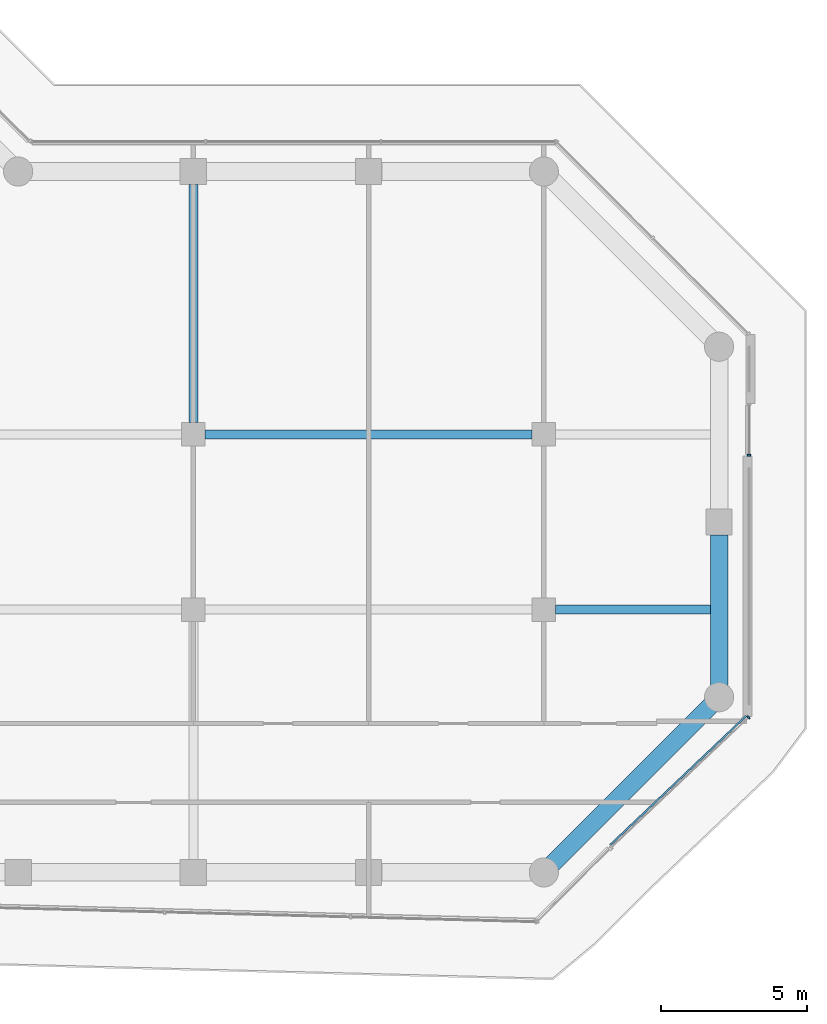
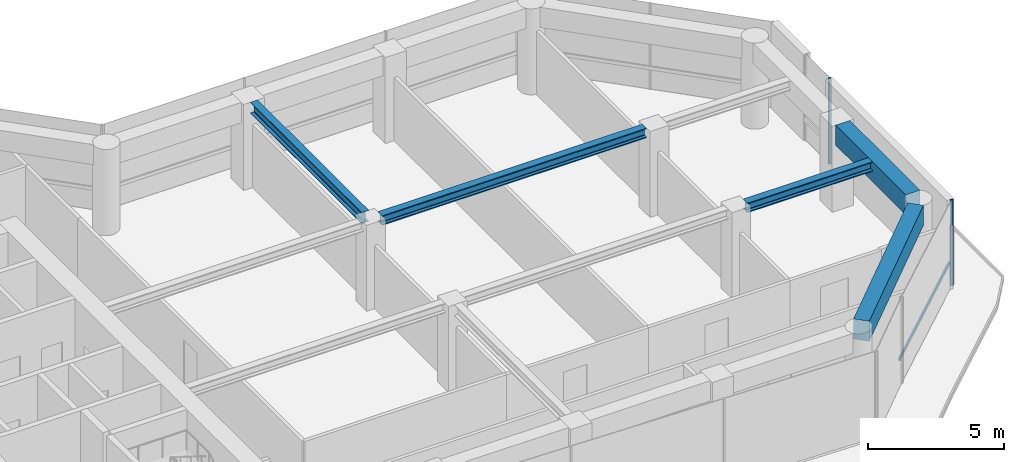
# One storey, part 7 of 23: 5 beams, 3 members, 2 elements without a shape of their own.
"""IFC4 building model written with IfcOpenShell, lengths in metres."""

from ifc_helpers import new_model, si_unit, direction, frame, origin, origin_2d, place, context, subcontext, project, spatial, rectangle, i_section, extrude, material, layer, layer_set, material_profile, profile_set, type_object, element, aggregate, save


model = new_model("IFC4")

# Units and contexts
model_context = context("Model", 3, precision=1e-05, world=origin(), true_north=direction((0.0, 1.0)))
body_context = subcontext(model_context, "Body", "Model", "MODEL_VIEW")
ifc_project = project(units=[si_unit("LENGTHUNIT", "METRE"), si_unit("AREAUNIT", "SQUARE_METRE"), si_unit("VOLUMEUNIT", "CUBIC_METRE"), si_unit("PLANEANGLEUNIT", "RADIAN"), si_unit("MASSUNIT", "GRAM", prefix="KILO")], contexts=[model_context])

# Site, building, storey
site_placement = place(None, origin())
site = spatial("IfcSite", under=ifc_project, at=site_placement, CompositionType="ELEMENT")
building_placement = place(site_placement, origin())
building = spatial("IfcBuilding", under=site, at=building_placement, Name="Welwitschia Terrace Campus", CompositionType="ELEMENT")
storey_placement = place(building_placement, frame((0.0, 0.0, 117.199951171875)))
storey = spatial("IfcBuildingStorey", under=building, at=storey_placement, Name="L26", CompositionType="ELEMENT", Elevation=117.199951171875)

# Beams
ifc_material_1 = material(Name="Steel S355", Category="steel")
ifc_material_profile_1 = material_profile(ifc_material_1, i_section(OverallWidth=0.306884765625, OverallDepth=0.431884765625, WebThickness=0.02099609375, FlangeThickness=0.0400390625, FilletRadius=0.027099609375, at=origin_2d()))
ifc_profile_set_1 = profile_set([ifc_material_profile_1], Name="Steel S355")
beam_type_1 = type_object("IfcBeamType", Name="Interior girder HE 400 M", PredefinedType="BEAM", material=ifc_profile_set_1)
beam_1_placement = place(storey_placement, frame((48.400390625, 13.0, 3.634033203125), z_axis=(1.0, 0.0, 0.0), x_axis=(0.0, 1.0, 0.0)))
element("IfcBeam", 1, at=beam_1_placement, inside=storey, type_object=beam_type_1, Name="Girder GB3", PredefinedType="BEAM", context=body_context, shape_type="SweptSolid", body=[
    extrude(i_section(OverallWidth=0.306884765625, OverallDepth=0.431884765625, WebThickness=0.02099609375, FlangeThickness=0.0400390625, FilletRadius=0.027099609375, at=origin_2d()), origin(), (0.0, 0.0, 1.0), 5.609619140625),
])
beam_2_placement = place(storey_placement, frame((36.400390625, 19.0, 3.634033203125), z_axis=(1.0, 0.0, 0.0), x_axis=(0.0, 1.0, 0.0)))
element("IfcBeam", 2, at=beam_2_placement, inside=storey, type_object=beam_type_1, Name="Girder GB3", PredefinedType="BEAM", context=body_context, shape_type="SweptSolid", body=[
    extrude(i_section(OverallWidth=0.306884765625, OverallDepth=0.431884765625, WebThickness=0.02099609375, FlangeThickness=0.0400390625, FilletRadius=0.027099609375, at=origin_2d()), origin(), (0.0, 0.0, 1.0), 11.19921875),
])

# Curtain wall, member
ifc_material_2 = material(Name="Bronze anodised aluminium", Category="aluminium")
ifc_layer = layer(ifc_material_2, 0.1201171875)
ifc_layer_set = layer_set([ifc_layer], Name="Bronze anodised aluminium")
curtain_wall_type = type_object("IfcCurtainWallType", Name="Curtain wall CW2 tower 6000", PredefinedType="NOTDEFINED", material=ifc_layer_set)
curtain_wall_1_placement = place(storey_placement, origin())
curtain_wall_1 = element("IfcCurtainWall", 3, at=curtain_wall_1_placement, inside=storey, type_object=curtain_wall_type, Name="CW L26.5.0", PredefinedType="NOTDEFINED")
ifc_material_3 = material(Name="Bronze anodised aluminium", Category="aluminium")
ifc_material_profile_2 = material_profile(ifc_material_3, rectangle(XDim=0.1201171875, YDim=0.06005859375, at=origin_2d()))
ifc_profile_set_2 = profile_set([ifc_material_profile_2], Name="Bronze anodised aluminium")
member_type_1 = type_object("IfcMemberType", Name="Mullion 60x120", PredefinedType="MULLION", material=ifc_profile_set_2)
member_1_placement = place(storey_placement, frame((55.00830078125, 9.310791015625, 0.0), z_axis=(0.0, 0.0, 1.0), x_axis=(-0.688354575694, 0.725374371012, 0.0)))
member_1 = element("IfcMember", 4, at=member_1_placement, type_object=member_type_1, Name="Mullion L26.5.0.1", PredefinedType="MULLION", context=body_context, shape_type="SweptSolid", body=[
    extrude(rectangle(XDim=0.1201171875, YDim=0.06005859375, at=origin_2d()), origin(), (0.0, 0.0, 1.0), 3.85009765625),
])

curtain_wall_2_placement = place(storey_placement, origin())
curtain_wall_2 = element("IfcCurtainWall", 5, at=curtain_wall_2_placement, inside=storey, type_object=curtain_wall_type, Name="CW L26.6.S0", PredefinedType="NOTDEFINED")
member_2_placement = place(storey_placement, frame((55.030029296875, 18.282958984375, 0.0), z_axis=(0.0, 0.0, 1.0), x_axis=(-1.0, 0.0, 0.0)))
member_2 = element("IfcMember", 6, at=member_2_placement, type_object=member_type_1, Name="Mullion L26.6.S0.0", PredefinedType="MULLION", context=body_context, shape_type="SweptSolid", body=[
    extrude(rectangle(XDim=0.1201171875, YDim=0.06005859375, at=origin_2d()), origin(), (0.0, 0.0, 1.0), 3.85009765625),
])
aggregate(curtain_wall_2, [member_2])

# Beams
ifc_material_4 = material(Name="Steel S355", Category="steel")
ifc_material_profile_3 = material_profile(ifc_material_4, i_section(OverallWidth=0.300048828125, OverallDepth=0.5, WebThickness=0.014404296875, FlangeThickness=0.028076171875, FilletRadius=0.027099609375, at=origin_2d()))
ifc_profile_set_3 = profile_set([ifc_material_profile_3], Name="Steel S355")
beam_type_2 = type_object("IfcBeamType", Name="Primary beam HE 500 B", PredefinedType="BEAM", material=ifc_profile_set_3)
beam_3_placement = place(storey_placement, frame((36.0, 27.549560546875, 3.60009765625), z_axis=(0.0, -1.0, 0.0), x_axis=(1.0, 0.0, 0.0)))
element("IfcBeam", 7, at=beam_3_placement, inside=storey, type_object=beam_type_2, Name="Primary beam PB3", PredefinedType="BEAM", context=body_context, shape_type="SweptSolid", body=[
    extrude(i_section(OverallWidth=0.300048828125, OverallDepth=0.5, WebThickness=0.014404296875, FlangeThickness=0.028076171875, FilletRadius=0.027099609375, at=origin_2d()), origin(), (0.0, 0.0, 1.0), 8.149169921875),
])
ifc_material_5 = material(Name="Concrete C60/75", Category="concrete")
ifc_material_profile_4 = material_profile(ifc_material_5, rectangle(XDim=0.60009765625, YDim=0.89990234375, at=origin_2d()))
ifc_profile_set_4 = profile_set([ifc_material_profile_4], Name="Concrete C60/75")
beam_type_3 = type_object("IfcBeamType", Name="Ring spandrel 600x900", PredefinedType="SPANDREL", material=ifc_profile_set_4)
beam_4_placement = place(storey_placement, frame((48.283203125, 4.283203125, 3.400146484375), z_axis=(0.707106781187, 0.707106781187, 0.0), x_axis=(-0.707106781187, 0.707106781187, 0.0)))
element("IfcBeam", 8, at=beam_4_placement, inside=storey, type_object=beam_type_3, Name="Spandrel SP2", PredefinedType="SPANDREL", context=body_context, shape_type="SweptSolid", body=[
    extrude(rectangle(XDim=0.60009765625, YDim=0.89990234375, at=origin_2d()), origin(), (0.0, 0.0, 1.0), 7.684326171875),
])
beam_5_placement = place(storey_placement, frame((54.0, 10.400390625, 3.400146484375), z_axis=(0.0, 1.0, 0.0), x_axis=(-1.0, 0.0, 0.0)))
element("IfcBeam", 9, at=beam_5_placement, inside=storey, type_object=beam_type_3, Name="Spandrel SP2", PredefinedType="SPANDREL", context=body_context, shape_type="SweptSolid", body=[
    extrude(rectangle(XDim=0.60009765625, YDim=0.89990234375, at=origin_2d()), origin(), (0.0, 0.0, 1.0), 5.149169921875),
])

# Member
ifc_material_6 = material(Name="Bronze anodised aluminium", Category="aluminium")
ifc_material_profile_5 = material_profile(ifc_material_6, rectangle(XDim=0.06005859375, YDim=0.14990234375, at=origin_2d()))
ifc_profile_set_5 = profile_set([ifc_material_profile_5], Name="Bronze anodised aluminium")
member_type_2 = type_object("IfcMemberType", Name="Transom 60x150", PredefinedType="USERDEFINED", material=ifc_profile_set_5)
member_3_placement = place(storey_placement, frame((50.273193359375, 4.941650390625, 1.0), z_axis=(0.725387163828, 0.688341094628, 0.0), x_axis=(-0.688341094628, 0.725387163828, 0.0)))
member_3 = element("IfcMember", 10, at=member_3_placement, type_object=member_type_2, Name="Transom L26.5.0", ObjectType="TRANSOM", PredefinedType="USERDEFINED", context=body_context, shape_type="SweptSolid", body=[
    extrude(rectangle(XDim=0.06005859375, YDim=0.14990234375, at=origin_2d()), origin(), (0.0, 0.0, 1.0), 6.412353515625),
])

aggregate(curtain_wall_1, [member_1, member_3])

save(model, "model.ifc")
